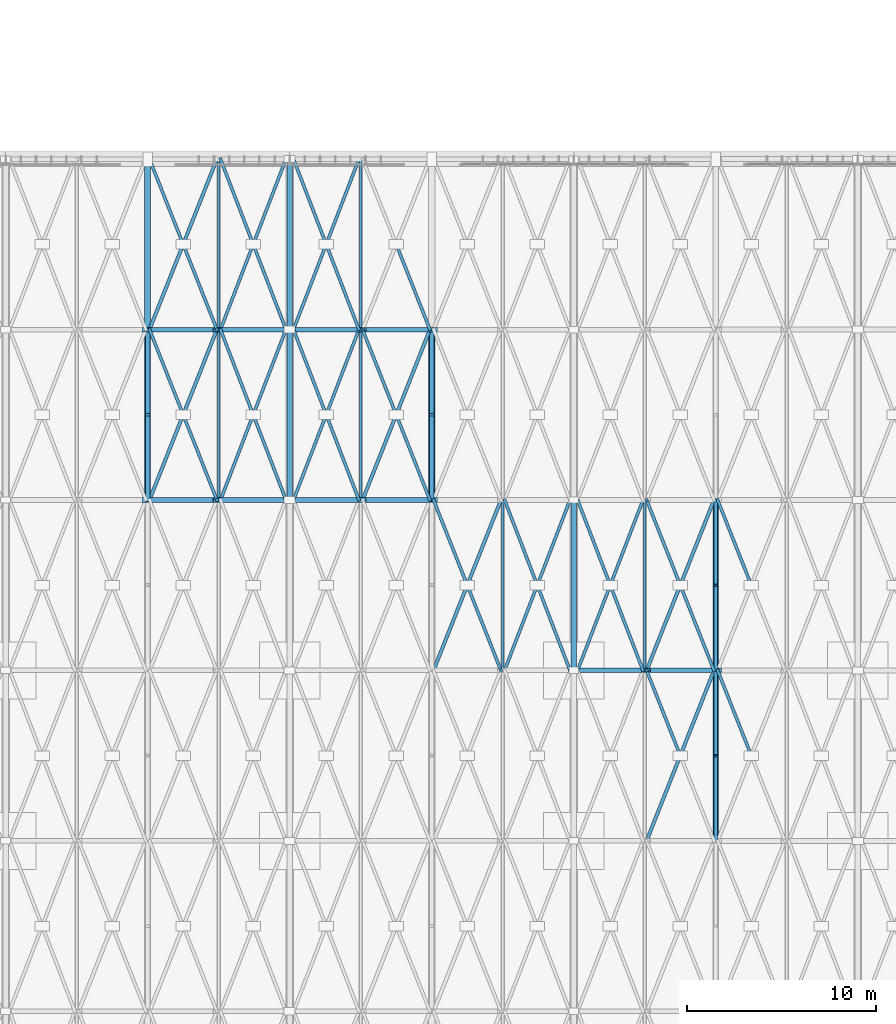
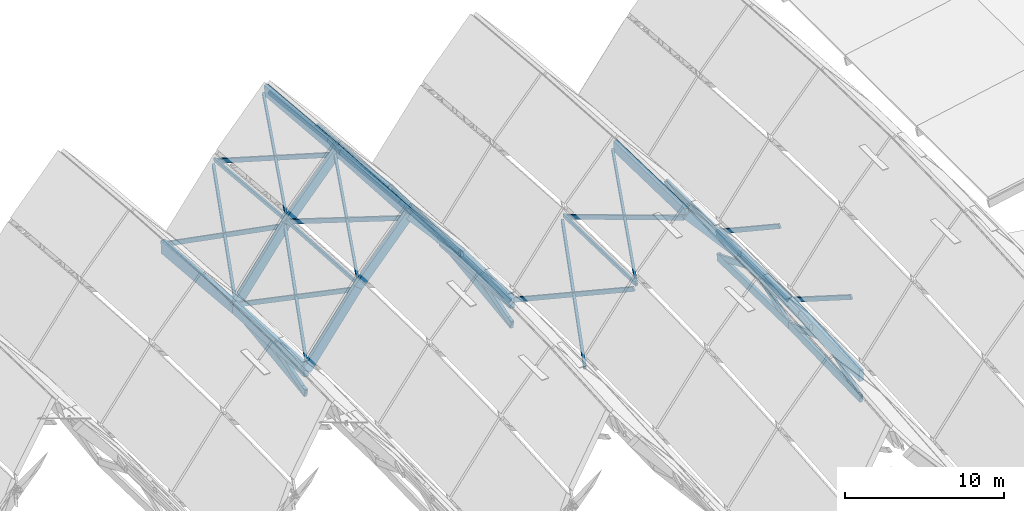
# One storey, part 40 of 93: 54 members, 18 beams.
"""IFC4 building model written with IfcOpenShell, lengths in metres."""

from ifc_helpers import new_model, si_unit, direction, frame, origin, origin_2d, place, context, subcontext, project, spatial, rectangle, extrude, material, material_profile, profile_set, type_object, element, save


model = new_model("IFC4")

# Units and contexts
model_context = context("Model", 3, precision=1e-05, world=origin(), true_north=direction((0.0, 1.0)))
body_context = subcontext(model_context, "Body", "Model", "MODEL_VIEW")
ifc_project = project(units=[si_unit("LENGTHUNIT", "METRE"), si_unit("AREAUNIT", "SQUARE_METRE"), si_unit("VOLUMEUNIT", "CUBIC_METRE"), si_unit("PLANEANGLEUNIT", "RADIAN"), si_unit("MASSUNIT", "GRAM", prefix="KILO")], contexts=[model_context])

# Site, building, storey
site_placement = place(None, origin())
site = spatial("IfcSite", under=ifc_project, at=site_placement, CompositionType="ELEMENT")
building_placement = place(site_placement, origin())
building = spatial("IfcBuilding", under=site, at=building_placement, Name="Vourika Railside Aquatics Centre", CompositionType="ELEMENT")
storey_placement = place(building_placement, frame((0.0, 0.0, 21.89990234375)))
storey = spatial("IfcBuildingStorey", under=building, at=storey_placement, Name="Roof", CompositionType="ELEMENT", Elevation=21.89990234375)

# Beams
ifc_material_1 = material(Name="Glulam GL32h", Category="wood")
ifc_material_profile_1 = material_profile(ifc_material_1, rectangle(XDim=0.239990234375, YDim=0.719970703125, at=origin_2d()), Name="GL32h 240x720")
ifc_profile_set_1 = profile_set([ifc_material_profile_1], Name="Glulam GL32h")
beam_type_1 = type_object("IfcBeamType", Name="BM-GL-ARCH-240x720", PredefinedType="BEAM", material=ifc_profile_set_1)
beam_1_placement = place(storey_placement, frame((96.0, 48.0, -10.314208984375), z_axis=(0.592401494544, 0.0, 0.805642891896), x_axis=(0.0, 1.0, 0.0)))
element("IfcBeam", 1, at=beam_1_placement, inside=storey, type_object=beam_type_1, Name="Pointed Glulam Vault Arch Rib GAR-0153", PredefinedType="BEAM", context=body_context, shape_type="SweptSolid", body=[
    extrude(rectangle(XDim=0.239990234375, YDim=0.719970703125, at=origin_2d()), origin(), (0.0, 0.0, 1.0), 6.330078125),
])
for number, where, z_axis, x_axis, name in (
    (2, (99.75, 48.0, -5.21435546875), (0.657258623263, 0.0, 0.75366511273), (0.0, 1.0, 0.0), "Pointed Glulam Vault Arch Rib GAR-0154"),
    (3, (103.5, 48.0, -0.914306640625), (0.657258623263, 0.0, -0.75366511273), (0.0, 1.0, 0.0), "Pointed Glulam Vault Arch Rib GAR-0155"),
):
    element("IfcBeam", number, at=place(storey_placement, frame(where, z_axis=z_axis, x_axis=x_axis)), inside=storey, type_object=beam_type_1, Name=name, PredefinedType="BEAM", context=body_context, shape_type="SweptSolid", body=[
        extrude(rectangle(XDim=0.239990234375, YDim=0.719970703125, at=origin_2d()), origin(), (0.0, 0.0, 1.0), 5.70556640625),
    ])
beam_2_placement = place(storey_placement, frame((107.25, 48.0, -5.21435546875), z_axis=(0.592401494544, 0.0, -0.805642891896), x_axis=(0.0, 1.0, 0.0)))
element("IfcBeam", 4, at=beam_2_placement, inside=storey, type_object=beam_type_1, Name="Pointed Glulam Vault Arch Rib GAR-0156", PredefinedType="BEAM", context=body_context, shape_type="SweptSolid", body=[
    extrude(rectangle(XDim=0.239990234375, YDim=0.719970703125, at=origin_2d()), origin(), (0.0, 0.0, 1.0), 6.330078125),
])
beam_3_placement = place(storey_placement, frame((96.0, 57.0, -10.89990234375), z_axis=(0.592383087934, 0.0, 0.805656426233), x_axis=(0.0, 1.0, 0.0)))
element("IfcBeam", 5, at=beam_3_placement, inside=storey, type_object=beam_type_1, Name="Pointed Glulam Vault Arch Rib GAR-0157", PredefinedType="BEAM", context=body_context, shape_type="SweptSolid", body=[
    extrude(rectangle(XDim=0.239990234375, YDim=0.719970703125, at=origin_2d()), origin(), (0.0, 0.0, 1.0), 6.330322265625),
])
for number, where, z_axis, x_axis, name in (
    (6, (99.75, 57.0, -5.7998046875), (0.657279819973, 0.0, 0.753646626912), (0.0, 1.0, 0.0), "Pointed Glulam Vault Arch Rib GAR-0158"),
    (7, (103.5, 57.0, -1.5), (0.657279819973, 0.0, -0.753646626912), (0.0, 1.0, 0.0), "Pointed Glulam Vault Arch Rib GAR-0159"),
):
    element("IfcBeam", number, at=place(storey_placement, frame(where, z_axis=z_axis, x_axis=x_axis)), inside=storey, type_object=beam_type_1, Name=name, PredefinedType="BEAM", context=body_context, shape_type="SweptSolid", body=[
        extrude(rectangle(XDim=0.239990234375, YDim=0.719970703125, at=origin_2d()), origin(), (0.0, 0.0, 1.0), 5.705322265625),
    ])
beam_4_placement = place(storey_placement, frame((107.25, 57.0, -5.7998046875), z_axis=(0.592383087934, 0.0, -0.805656426233), x_axis=(0.0, 1.0, 0.0)))
element("IfcBeam", 8, at=beam_4_placement, inside=storey, type_object=beam_type_1, Name="Pointed Glulam Vault Arch Rib GAR-0160", PredefinedType="BEAM", context=body_context, shape_type="SweptSolid", body=[
    extrude(rectangle(XDim=0.239990234375, YDim=0.719970703125, at=origin_2d()), origin(), (0.0, 0.0, 1.0), 6.330322265625),
])
beam_5_placement = place(storey_placement, frame((118.5, 39.0, -0.699951171875), z_axis=(0.657258623263, 0.0, -0.75366511273), x_axis=(0.0, 1.0, 0.0)))
element("IfcBeam", 9, at=beam_5_placement, inside=storey, type_object=beam_type_1, Name="Pointed Glulam Vault Arch Rib GAR-0185", PredefinedType="BEAM", context=body_context, shape_type="SweptSolid", body=[
    extrude(rectangle(XDim=0.239990234375, YDim=0.719970703125, at=origin_2d()), origin(), (0.0, 0.0, 1.0), 5.70556640625),
])
beam_6_placement = place(storey_placement, frame((122.25, 39.0, -5.0), z_axis=(0.592401494544, 0.0, -0.805642891896), x_axis=(0.0, 1.0, 0.0)))
element("IfcBeam", 10, at=beam_6_placement, inside=storey, type_object=beam_type_1, Name="Pointed Glulam Vault Arch Rib GAR-0186", PredefinedType="BEAM", context=body_context, shape_type="SweptSolid", body=[
    extrude(rectangle(XDim=0.239990234375, YDim=0.719970703125, at=origin_2d()), origin(), (0.0, 0.0, 1.0), 6.330078125),
])
ifc_material_profile_2 = material_profile(ifc_material_1, rectangle(XDim=0.280029296875, YDim=0.800048828125, at=origin_2d()), Name="GL32h 280x800")
ifc_profile_set_2 = profile_set([ifc_material_profile_2], Name="Glulam GL32h")
beam_type_2 = type_object("IfcBeamType", Name="BM-GL-RIDGE-280x800", PredefinedType="BEAM", material=ifc_profile_set_2)
beam_7_placement = place(storey_placement, frame((103.5, 48.0, -0.914306640625), z_axis=(0.0, 0.997889191565, -0.064939674766), x_axis=(-1.0, 0.0, 0.0)))
element("IfcBeam", 11, at=beam_7_placement, inside=storey, type_object=beam_type_2, Name="Vault Pointed Ridge Beam GRB-0169", PredefinedType="BEAM", context=body_context, shape_type="SweptSolid", body=[
    extrude(rectangle(XDim=0.280029296875, YDim=0.800048828125, at=origin_2d()), origin(), (0.0, 0.0, 1.0), 9.01904296875),
])
beam_8_placement = place(storey_placement, frame((103.5, 57.0, -1.5), z_axis=(0.0, 0.996074546839, -0.088518343518), x_axis=(-1.0, 0.0, 0.0)))
element("IfcBeam", 12, at=beam_8_placement, inside=storey, type_object=beam_type_2, Name="Vault Pointed Ridge Beam GRB-0170", PredefinedType="BEAM", context=body_context, shape_type="SweptSolid", body=[
    extrude(rectangle(XDim=0.280029296875, YDim=0.800048828125, at=origin_2d()), origin(), (0.0, 0.0, 1.0), 9.035400390625),
])
beam_9_placement = place(storey_placement, frame((118.5, 39.0, -0.699951171875), z_axis=(0.0, 0.999716489335, -0.023810521854), x_axis=(-1.0, 0.0, 0.0)))
element("IfcBeam", 13, at=beam_9_placement, inside=storey, type_object=beam_type_2, Name="Vault Pointed Ridge Beam GRB-0202", PredefinedType="BEAM", context=body_context, shape_type="SweptSolid", body=[
    extrude(rectangle(XDim=0.280029296875, YDim=0.800048828125, at=origin_2d()), origin(), (0.0, 0.0, 1.0), 9.00244140625),
])
ifc_material_profile_3 = material_profile(ifc_material_1, rectangle(XDim=0.300048828125, YDim=0.89990234375, at=origin_2d()), Name="GL32h 300x900")
ifc_profile_set_3 = profile_set([ifc_material_profile_3], Name="Glulam GL32h")
beam_type_3 = type_object("IfcBeamType", Name="BM-GL-VAL-300x900", PredefinedType="BEAM", material=ifc_profile_set_3)
for number, where, z_axis, x_axis, name in (
    (14, (126.0, 30.0, -10.314208984375), (0.0, 0.999716489335, 0.023810521854), (-1.0, 0.0, 0.0), "Vault Valley Arch Rib VTR-039"),
    (15, (126.0, 39.0, -10.099853515625), (0.0, 0.999716489335, -0.023810521854), (-1.0, 0.0, 0.0), "Vault Valley Arch Rib VTR-040"),
):
    element("IfcBeam", number, at=place(storey_placement, frame(where, z_axis=z_axis, x_axis=x_axis)), inside=storey, type_object=beam_type_3, Name=name, PredefinedType="BEAM", context=body_context, shape_type="SweptSolid", body=[
        extrude(rectangle(XDim=0.300048828125, YDim=0.89990234375, at=origin_2d()), origin(), (0.0, 0.0, 1.0), 9.00244140625),
    ])
ifc_material_profile_4 = material_profile(ifc_material_1, rectangle(XDim=0.320068359375, YDim=0.9599609375, at=origin_2d()), Name="GL32h 320x960")
ifc_profile_set_4 = profile_set([ifc_material_profile_4], Name="Glulam GL32h")
beam_type_4 = type_object("IfcBeamType", Name="BM-GL-VAL-320x960", PredefinedType="BEAM", material=ifc_profile_set_4)
beam_10_placement = place(storey_placement, frame((96.0, 48.0, -10.314208984375), z_axis=(0.0, 0.997889191565, -0.064939674766), x_axis=(-1.0, 0.0, 0.0)))
element("IfcBeam", 16, at=beam_10_placement, inside=storey, type_object=beam_type_4, Name="Vault Valley Arch Rib VTR-029", PredefinedType="BEAM", context=body_context, shape_type="SweptSolid", body=[
    extrude(rectangle(XDim=0.320068359375, YDim=0.9599609375, at=origin_2d()), origin(), (0.0, 0.0, 1.0), 9.01904296875),
])
beam_11_placement = place(storey_placement, frame((96.0, 57.0, -10.89990234375), z_axis=(0.0, 0.996072164085, -0.088545151956), x_axis=(-1.0, 0.0, 0.0)))
element("IfcBeam", 17, at=beam_11_placement, inside=storey, type_object=beam_type_4, Name="Vault Valley Arch Rib VTR-030", PredefinedType="BEAM", context=body_context, shape_type="SweptSolid", body=[
    extrude(rectangle(XDim=0.320068359375, YDim=0.9599609375, at=origin_2d()), origin(), (0.0, 0.0, 1.0), 9.035400390625),
])
beam_12_placement = place(storey_placement, frame((111.0, 48.0, -10.314208984375), z_axis=(0.0, 0.997889191565, -0.064939674766), x_axis=(-1.0, 0.0, 0.0)))
element("IfcBeam", 18, at=beam_12_placement, inside=storey, type_object=beam_type_4, Name="Vault Valley Arch Rib VTR-035", PredefinedType="BEAM", context=body_context, shape_type="SweptSolid", body=[
    extrude(rectangle(XDim=0.320068359375, YDim=0.9599609375, at=origin_2d()), origin(), (0.0, 0.0, 1.0), 9.01904296875),
])

# Members
ifc_material_profile_5 = material_profile(ifc_material_1, rectangle(XDim=0.219970703125, YDim=0.60009765625, at=origin_2d()), Name="GL32h 220x600")
ifc_profile_set_5 = profile_set([ifc_material_profile_5], Name="Glulam GL32h")
member_type_1 = type_object("IfcMemberType", Name="MEM-GL-CHORD", PredefinedType="CHORD", material=ifc_profile_set_5)
for number, where, z_axis, x_axis, name in (
    (19, (96.0, 48.0, -12.064208984375), (0.0, 0.991735627786, 0.128298264131), (-1.0, 0.0, 0.0), "Valley Arch Truss Bottom Chord VBC-029"),
    (20, (111.0, 48.0, -12.064208984375), (0.0, 0.991735627786, 0.128298264131), (-1.0, 0.0, 0.0), "Valley Arch Truss Bottom Chord VBC-035"),
):
    element("IfcMember", number, at=place(storey_placement, frame(where, z_axis=z_axis, x_axis=x_axis)), inside=storey, type_object=member_type_1, Name=name, PredefinedType="CHORD", context=body_context, shape_type="SweptSolid", body=[
        extrude(rectangle(XDim=0.219970703125, YDim=0.60009765625, at=origin_2d()), origin(), (0.0, 0.0, 1.0), 9.074951171875),
    ])
for number, where, z_axis, x_axis, name in (
    (21, (126.0, 30.0, -12.064208984375), (0.0, 0.999716489335, 0.023810521854), (-1.0, 0.0, 0.0), "Valley Arch Truss Bottom Chord VBC-039"),
    (22, (126.0, 39.0, -11.849853515625), (0.0, 0.999716489335, -0.023810521854), (-1.0, 0.0, 0.0), "Valley Arch Truss Bottom Chord VBC-040"),
):
    element("IfcMember", number, at=place(storey_placement, frame(where, z_axis=z_axis, x_axis=x_axis)), inside=storey, type_object=member_type_1, Name=name, PredefinedType="CHORD", context=body_context, shape_type="SweptSolid", body=[
        extrude(rectangle(XDim=0.219970703125, YDim=0.60009765625, at=origin_2d()), origin(), (0.0, 0.0, 1.0), 9.00244140625),
    ])
ifc_material_2 = material(Name="Glulam GL28h", Category="wood")
ifc_material_profile_6 = material_profile(ifc_material_2, rectangle(XDim=0.179931640625, YDim=0.360107421875, at=origin_2d()), Name="GL28h 180x360")
ifc_profile_set_6 = profile_set([ifc_material_profile_6], Name="Glulam GL28h")
member_type_2 = type_object("IfcMemberType", Name="MEM-GL-LATH1", PredefinedType="BRACE", material=ifc_profile_set_6)
member_1_placement = place(storey_placement, frame((96.094970703125, 48.0, -10.189453125), z_axis=(0.336558619113, 0.85083643773, 0.403491824121), x_axis=(-0.929892910811, 0.367830360933, 0.0)))
element("IfcMember", 23, at=member_1_placement, inside=storey, type_object=member_type_2, Name="Gridshell Continuous Diagonal Lath GLA-0273", PredefinedType="BRACE", context=body_context, shape_type="SweptSolid", body=[
    extrude(rectangle(XDim=0.179931640625, YDim=0.360107421875, at=origin_2d()), origin(), (0.0, 0.0, 1.0), 10.577880859375),
])
member_2_placement = place(storey_placement, frame((107.344970703125, 48.0, -5.347900390625), z_axis=(0.321000574365, 0.811504949484, -0.488281013577), x_axis=(-0.929892910811, 0.367830360933, 0.0)))
element("IfcMember", 24, at=member_2_placement, inside=storey, type_object=member_type_2, Name="Gridshell Continuous Diagonal Lath GLA-0279", PredefinedType="BRACE", context=body_context, shape_type="SweptSolid", body=[
    extrude(rectangle(XDim=0.179931640625, YDim=0.360107421875, at=origin_2d()), origin(), (0.0, 0.0, 1.0), 11.090576171875),
])
member_3_placement = place(storey_placement, frame((96.094970703125, 57.0, -10.7783203125), z_axis=(0.339219023139, 0.857562067548, 0.386675257346), x_axis=(-0.929892910811, 0.367830360933, 0.0)))
element("IfcMember", 25, at=member_3_placement, inside=storey, type_object=member_type_2, Name="Gridshell Continuous Diagonal Lath GLA-0283", PredefinedType="BRACE", context=body_context, shape_type="SweptSolid", body=[
    extrude(rectangle(XDim=0.179931640625, YDim=0.360107421875, at=origin_2d()), origin(), (0.0, 0.0, 1.0), 10.494873046875),
])
for number, where, z_axis, x_axis, name in (
    (26, (122.344970703125, 30.0, -5.339111328125), (0.331795949467, 0.838796178929, -0.431662389064), (-0.929892910811, 0.367830360933, 0.0), "Gridshell Continuous Diagonal Lath GLA-0319"),
    (27, (111.094970703125, 39.0, -9.970703125), (0.331795949467, 0.838796178929, 0.431662389064), (-0.929892910811, 0.367830360933, 0.0), "Gridshell Continuous Diagonal Lath GLA-0323"),
):
    element("IfcMember", number, at=place(storey_placement, frame(where, z_axis=z_axis, x_axis=x_axis)), inside=storey, type_object=member_type_2, Name=name, PredefinedType="BRACE", context=body_context, shape_type="SweptSolid", body=[
        extrude(rectangle(XDim=0.179931640625, YDim=0.360107421875, at=origin_2d()), origin(), (0.0, 0.0, 1.0), 10.729736328125),
    ])
member_4_placement = place(storey_placement, frame((122.344970703125, 39.0, -5.129150390625), z_axis=(0.326087343629, 0.824364547766, -0.462698753739), x_axis=(-0.929892910811, 0.367830360933, 0.0)))
element("IfcMember", 28, at=member_4_placement, inside=storey, type_object=member_type_2, Name="Gridshell Continuous Diagonal Lath GLA-0329", PredefinedType="BRACE", context=body_context, shape_type="SweptSolid", body=[
    extrude(rectangle(XDim=0.179931640625, YDim=0.360107421875, at=origin_2d()), origin(), (0.0, 0.0, 1.0), 10.91748046875),
])
ifc_material_profile_7 = material_profile(ifc_material_2, rectangle(XDim=0.159912109375, YDim=0.320068359375, at=origin_2d()), Name="GL28h 160x320")
ifc_profile_set_7 = profile_set([ifc_material_profile_7], Name="Glulam GL28h")
member_type_3 = type_object("IfcMemberType", Name="MEM-GL-LATH2", PredefinedType="BRACE", material=ifc_profile_set_7)
member_5_placement = place(storey_placement, frame((99.655029296875, 48.0, -5.347900390625), z_axis=(-0.321004024702, 0.811513672104, -0.488264248244), x_axis=(-0.929892910811, -0.367830360933, 0.0)))
element("IfcMember", 29, at=member_5_placement, inside=storey, type_object=member_type_3, Name="Gridshell Split Counter Lath GLB1-0274", PredefinedType="BRACE", context=body_context, shape_type="SweptSolid", body=[
    extrude(rectangle(XDim=0.159912109375, YDim=0.320068359375, at=origin_2d()), origin(), (0.0, 0.0, 1.0), 5.545166015625),
])
member_6_placement = place(storey_placement, frame((97.875, 52.5, -8.055419921875), z_axis=(-0.320997123983, 0.811496226753, -0.48829777837), x_axis=(-0.929892910811, -0.367830360933, 0.0)))
element("IfcMember", 30, at=member_6_placement, inside=storey, type_object=member_type_3, Name="Gridshell Split Counter Lath GLB2-0274", PredefinedType="BRACE", context=body_context, shape_type="SweptSolid", body=[
    extrude(rectangle(XDim=0.159912109375, YDim=0.320068359375, at=origin_2d()), origin(), (0.0, 0.0, 1.0), 5.54541015625),
])
member_7_placement = place(storey_placement, frame((99.844970703125, 48.0, -5.10986328125), z_axis=(0.338120523205, 0.8807571345, 0.331574097021), x_axis=(-0.933569951957, 0.358395235463, 0.0)))
element("IfcMember", 31, at=member_7_placement, inside=storey, type_object=member_type_3, Name="Gridshell Continuous Diagonal Lath GLA-0275", PredefinedType="BRACE", context=body_context, shape_type="SweptSolid", body=[
    extrude(rectangle(XDim=0.159912109375, YDim=0.320068359375, at=origin_2d()), origin(), (0.0, 0.0, 1.0), 10.218505859375),
])
member_8_placement = place(storey_placement, frame((103.300048828125, 48.0, -1.14794921875), z_axis=(-0.324295935921, 0.844745999277, -0.425718619102), x_axis=(-0.933569951957, -0.358395235463, 0.0)))
element("IfcMember", 32, at=member_8_placement, inside=storey, type_object=member_type_3, Name="Gridshell Split Counter Lath GLB1-0276", PredefinedType="BRACE", context=body_context, shape_type="SweptSolid", body=[
    extrude(rectangle(XDim=0.159912109375, YDim=0.320068359375, at=origin_2d()), origin(), (0.0, 0.0, 1.0), 5.3271484375),
])
member_9_placement = place(storey_placement, frame((101.572509765625, 52.5, -3.415771484375), z_axis=(-0.324302263056, 0.84476248059, -0.425681093735), x_axis=(-0.933569951957, -0.358395235463, 0.0)))
element("IfcMember", 33, at=member_9_placement, inside=storey, type_object=member_type_3, Name="Gridshell Split Counter Lath GLB2-0276", PredefinedType="BRACE", context=body_context, shape_type="SweptSolid", body=[
    extrude(rectangle(XDim=0.159912109375, YDim=0.320068359375, at=origin_2d()), origin(), (0.0, 0.0, 1.0), 5.326904296875),
])
member_10_placement = place(storey_placement, frame((103.699951171875, 48.0, -1.14794921875), z_axis=(0.324299099527, 0.844754240035, -0.425699856693), x_axis=(-0.933569951957, 0.358395235463, 0.0)))
element("IfcMember", 34, at=member_10_placement, inside=storey, type_object=member_type_3, Name="Gridshell Continuous Diagonal Lath GLA-0277", PredefinedType="BRACE", context=body_context, shape_type="SweptSolid", body=[
    extrude(rectangle(XDim=0.159912109375, YDim=0.320068359375, at=origin_2d()), origin(), (0.0, 0.0, 1.0), 10.654052734375),
])
for number, where, z_axis, x_axis, name in (
    (35, (107.155029296875, 48.0, -5.10986328125), (-0.338120523205, 0.8807571345, 0.331574097021), (-0.933569951957, -0.358395235463, 0.0), "Gridshell Split Counter Lath GLB1-0278"),
    (36, (105.427490234375, 52.5, -3.415771484375), (-0.338120523205, 0.8807571345, 0.331574097021), (-0.933569951957, -0.358395235463, 0.0), "Gridshell Split Counter Lath GLB2-0278"),
):
    element("IfcMember", number, at=place(storey_placement, frame(where, z_axis=z_axis, x_axis=x_axis)), inside=storey, type_object=member_type_3, Name=name, PredefinedType="BRACE", context=body_context, shape_type="SweptSolid", body=[
        extrude(rectangle(XDim=0.159912109375, YDim=0.320068359375, at=origin_2d()), origin(), (0.0, 0.0, 1.0), 5.109130859375),
    ])
for number, where, z_axis, x_axis, name in (
    (37, (110.905029296875, 48.0, -10.189453125), (-0.336558619113, 0.85083643773, 0.403491824121), (-0.929892910811, -0.367830360933, 0.0), "Gridshell Split Counter Lath GLB1-0280"),
    (38, (109.125, 52.5, -8.055419921875), (-0.336558619113, 0.85083643773, 0.403491824121), (-0.929892910811, -0.367830360933, 0.0), "Gridshell Split Counter Lath GLB2-0280"),
):
    element("IfcMember", number, at=place(storey_placement, frame(where, z_axis=z_axis, x_axis=x_axis)), inside=storey, type_object=member_type_3, Name=name, PredefinedType="BRACE", context=body_context, shape_type="SweptSolid", body=[
        extrude(rectangle(XDim=0.159912109375, YDim=0.320068359375, at=origin_2d()), origin(), (0.0, 0.0, 1.0), 5.288818359375),
    ])
member_11_placement = place(storey_placement, frame((99.655029296875, 57.0, -5.936767578125), z_axis=(-0.318014350334, 0.803955630964, -0.502515886737), x_axis=(-0.929892910811, -0.367830360933, 0.0)))
element("IfcMember", 39, at=member_11_placement, inside=storey, type_object=member_type_3, Name="Gridshell Split Counter Lath GLB1-0284", PredefinedType="BRACE", context=body_context, shape_type="SweptSolid", body=[
    extrude(rectangle(XDim=0.159912109375, YDim=0.320068359375, at=origin_2d()), origin(), (0.0, 0.0, 1.0), 5.597412109375),
])
member_12_placement = place(storey_placement, frame((97.875, 61.5, -8.74951171875), z_axis=(-0.318021320636, 0.803973252223, -0.502483282639), x_axis=(-0.929892910811, -0.367830360933, 0.0)))
element("IfcMember", 40, at=member_12_placement, inside=storey, type_object=member_type_3, Name="Gridshell Split Counter Lath GLB2-0284", PredefinedType="BRACE", context=body_context, shape_type="SweptSolid", body=[
    extrude(rectangle(XDim=0.159912109375, YDim=0.320068359375, at=origin_2d()), origin(), (0.0, 0.0, 1.0), 5.59716796875),
])
member_13_placement = place(storey_placement, frame((99.844970703125, 57.0, -5.698486328125), z_axis=(0.340377647674, 0.886636631138, 0.313079129436), x_axis=(-0.933569951957, 0.358395235463, 0.0)))
element("IfcMember", 41, at=member_13_placement, inside=storey, type_object=member_type_3, Name="Gridshell Continuous Diagonal Lath GLA-0285", PredefinedType="BRACE", context=body_context, shape_type="SweptSolid", body=[
    extrude(rectangle(XDim=0.159912109375, YDim=0.320068359375, at=origin_2d()), origin(), (0.0, 0.0, 1.0), 10.150634765625),
])
for number, where, z_axis, x_axis, name in (
    (42, (103.300048828125, 57.0, -1.73681640625), (-0.32154756466, 0.837586872782, -0.441650760448), (-0.933569951957, -0.358395235463, 0.0), "Gridshell Split Counter Lath GLB1-0286"),
    (43, (101.572509765625, 61.5, -4.109619140625), (-0.321554017818, 0.837603682367, -0.441614181057), (-0.933569951957, -0.358395235463, 0.0), "Gridshell Split Counter Lath GLB2-0286"),
):
    element("IfcMember", number, at=place(storey_placement, frame(where, z_axis=z_axis, x_axis=x_axis)), inside=storey, type_object=member_type_3, Name=name, PredefinedType="BRACE", context=body_context, shape_type="SweptSolid", body=[
        extrude(rectangle(XDim=0.159912109375, YDim=0.320068359375, at=origin_2d()), origin(), (0.0, 0.0, 1.0), 5.37255859375),
    ])
member_14_placement = place(storey_placement, frame((103.699951171875, 57.0, -1.73681640625), z_axis=(0.321550791273, 0.837595277664, -0.441632471028), x_axis=(-0.933569951957, 0.358395235463, 0.0)))
element("IfcMember", 44, at=member_14_placement, inside=storey, type_object=member_type_3, Name="Gridshell Continuous Diagonal Lath GLA-0287", PredefinedType="BRACE", context=body_context, shape_type="SweptSolid", body=[
    extrude(rectangle(XDim=0.159912109375, YDim=0.320068359375, at=origin_2d()), origin(), (0.0, 0.0, 1.0), 10.7451171875),
])
for number, where, z_axis, x_axis, name in (
    (45, (107.155029296875, 57.0, -5.698486328125), (-0.340380210662, 0.886643307367, 0.313057435131), (-0.933569951957, -0.358395235463, 0.0), "Gridshell Split Counter Lath GLB1-0288"),
    (46, (105.427490234375, 61.5, -4.109619140625), (-0.340375084547, 0.886629954547, 0.31310082325), (-0.933569951957, -0.358395235463, 0.0), "Gridshell Split Counter Lath GLB2-0288"),
):
    element("IfcMember", number, at=place(storey_placement, frame(where, z_axis=z_axis, x_axis=x_axis)), inside=storey, type_object=member_type_3, Name=name, PredefinedType="BRACE", context=body_context, shape_type="SweptSolid", body=[
        extrude(rectangle(XDim=0.159912109375, YDim=0.320068359375, at=origin_2d()), origin(), (0.0, 0.0, 1.0), 5.075439453125),
    ])
member_15_placement = place(storey_placement, frame((110.905029296875, 57.0, -10.7783203125), z_axis=(-0.339225125603, 0.857577494874, 0.386635686979), x_axis=(-0.929892910811, -0.367830360933, 0.0)))
element("IfcMember", 47, at=member_15_placement, inside=storey, type_object=member_type_3, Name="Gridshell Split Counter Lath GLB1-0290", PredefinedType="BRACE", context=body_context, shape_type="SweptSolid", body=[
    extrude(rectangle(XDim=0.159912109375, YDim=0.320068359375, at=origin_2d()), origin(), (0.0, 0.0, 1.0), 5.247314453125),
])
for number, where, z_axis, x_axis, name in (
    (48, (124.125, 34.5, -7.65478515625), (-0.326090717631, 0.824373077407, 0.462681178699), (-0.929892910811, -0.367830360933, 0.0), "Gridshell Split Counter Lath GLB2-0320"),
    (49, (114.655029296875, 39.0, -5.129150390625), (-0.326090717631, 0.824373077407, -0.462681178699), (-0.929892910811, -0.367830360933, 0.0), "Gridshell Split Counter Lath GLB1-0324"),
    (50, (112.875, 43.5, -7.65478515625), (-0.326083969568, 0.824356017978, -0.462716328234), (-0.929892910811, -0.367830360933, 0.0), "Gridshell Split Counter Lath GLB2-0324"),
):
    element("IfcMember", number, at=place(storey_placement, frame(where, z_axis=z_axis, x_axis=x_axis)), inside=storey, type_object=member_type_3, Name=name, PredefinedType="BRACE", context=body_context, shape_type="SweptSolid", body=[
        extrude(rectangle(XDim=0.159912109375, YDim=0.320068359375, at=origin_2d()), origin(), (0.0, 0.0, 1.0), 5.458740234375),
    ])
member_16_placement = place(storey_placement, frame((114.844970703125, 39.0, -4.89111328125), z_axis=(0.333992041249, 0.870003010782, 0.362690057229), x_axis=(-0.933569951957, 0.358395235463, 0.0)))
element("IfcMember", 51, at=member_16_placement, inside=storey, type_object=member_type_3, Name="Gridshell Continuous Diagonal Lath GLA-0325", PredefinedType="BRACE", context=body_context, shape_type="SweptSolid", body=[
    extrude(rectangle(XDim=0.159912109375, YDim=0.320068359375, at=origin_2d()), origin(), (0.0, 0.0, 1.0), 10.3447265625),
])
for number, where, z_axis, x_axis, name in (
    (52, (118.300048828125, 39.0, -0.92919921875), (-0.328917694788, 0.856785041031, -0.397155565895), (-0.933569951957, -0.358395235463, 0.0), "Gridshell Split Counter Lath GLB1-0326"),
    (53, (116.572509765625, 43.5, -3.01513671875), (-0.328923766818, 0.856800857828, -0.397116413218), (-0.933569951957, -0.358395235463, 0.0), "Gridshell Split Counter Lath GLB2-0326"),
):
    element("IfcMember", number, at=place(storey_placement, frame(where, z_axis=z_axis, x_axis=x_axis)), inside=storey, type_object=member_type_3, Name=name, PredefinedType="BRACE", context=body_context, shape_type="SweptSolid", body=[
        extrude(rectangle(XDim=0.159912109375, YDim=0.320068359375, at=origin_2d()), origin(), (0.0, 0.0, 1.0), 5.252197265625),
    ])
member_17_placement = place(storey_placement, frame((118.699951171875, 39.0, -0.92919921875), z_axis=(0.32892073085, 0.856792949552, -0.397135989827), x_axis=(-0.933569951957, 0.358395235463, 0.0)))
element("IfcMember", 54, at=member_17_placement, inside=storey, type_object=member_type_3, Name="Gridshell Continuous Diagonal Lath GLA-0327", PredefinedType="BRACE", context=body_context, shape_type="SweptSolid", body=[
    extrude(rectangle(XDim=0.159912109375, YDim=0.320068359375, at=origin_2d()), origin(), (0.0, 0.0, 1.0), 10.50439453125),
])
for number, where, z_axis, x_axis, name in (
    (55, (122.155029296875, 39.0, -4.89111328125), (-0.333992041249, 0.870003010782, 0.362690057229), (-0.933569951957, -0.358395235463, 0.0), "Gridshell Split Counter Lath GLB1-0328"),
    (56, (120.427490234375, 43.5, -3.01513671875), (-0.333992041249, 0.870003010782, 0.362690057229), (-0.933569951957, -0.358395235463, 0.0), "Gridshell Split Counter Lath GLB2-0328"),
):
    element("IfcMember", number, at=place(storey_placement, frame(where, z_axis=z_axis, x_axis=x_axis)), inside=storey, type_object=member_type_3, Name=name, PredefinedType="BRACE", context=body_context, shape_type="SweptSolid", body=[
        extrude(rectangle(XDim=0.159912109375, YDim=0.320068359375, at=origin_2d()), origin(), (0.0, 0.0, 1.0), 5.17236328125),
    ])
member_18_placement = place(storey_placement, frame((125.905029296875, 39.0, -9.970703125), z_axis=(-0.331792690542, 0.83878794021, 0.431680902823), x_axis=(-0.929892910811, -0.367830360933, 0.0)))
element("IfcMember", 57, at=member_18_placement, inside=storey, type_object=member_type_3, Name="Gridshell Split Counter Lath GLB1-0330", PredefinedType="BRACE", context=body_context, shape_type="SweptSolid", body=[
    extrude(rectangle(XDim=0.159912109375, YDim=0.320068359375, at=origin_2d()), origin(), (0.0, 0.0, 1.0), 5.364990234375),
])
member_19_placement = place(storey_placement, frame((124.125, 43.5, -7.65478515625), z_axis=(-0.331799208316, 0.838804417456, 0.43164387476), x_axis=(-0.929892910811, -0.367830360933, 0.0)))
element("IfcMember", 58, at=member_19_placement, inside=storey, type_object=member_type_3, Name="Gridshell Split Counter Lath GLB2-0330", PredefinedType="BRACE", context=body_context, shape_type="SweptSolid", body=[
    extrude(rectangle(XDim=0.159912109375, YDim=0.320068359375, at=origin_2d()), origin(), (0.0, 0.0, 1.0), 5.36474609375),
])
member_20_placement = place(storey_placement, frame((127.875, 34.5, -7.65478515625), z_axis=(-0.331792690542, 0.83878794021, -0.431680902823), x_axis=(-0.929892910811, -0.367830360933, 0.0)))
element("IfcMember", 59, at=member_20_placement, inside=storey, type_object=member_type_3, Name="Gridshell Split Counter Lath GLB2-0377", PredefinedType="BRACE", context=body_context, shape_type="SweptSolid", body=[
    extrude(rectangle(XDim=0.159912109375, YDim=0.320068359375, at=origin_2d()), origin(), (0.0, 0.0, 1.0), 5.364990234375),
])
member_21_placement = place(storey_placement, frame((127.875, 43.5, -7.65478515625), z_axis=(-0.326083969568, 0.824356017978, -0.462716328234), x_axis=(-0.929892910811, -0.367830360933, 0.0)))
element("IfcMember", 60, at=member_21_placement, inside=storey, type_object=member_type_3, Name="Gridshell Split Counter Lath GLB2-0388", PredefinedType="BRACE", context=body_context, shape_type="SweptSolid", body=[
    extrude(rectangle(XDim=0.159912109375, YDim=0.320068359375, at=origin_2d()), origin(), (0.0, 0.0, 1.0), 5.458740234375),
])
ifc_material_profile_8 = material_profile(ifc_material_2, rectangle(XDim=0.139892578125, YDim=0.280029296875, at=origin_2d()), Name="GL28h 140x280")
ifc_profile_set_8 = profile_set([ifc_material_profile_8], Name="Glulam GL28h")
member_type_4 = type_object("IfcMemberType", Name="MEM-GL-PURLIN", PredefinedType="PURLIN", material=ifc_profile_set_8)
for number, where, z_axis, x_axis, name in (
    (61, (99.75, 48.0, -4.9443359375), (0.0, 0.997890945376, -0.064912719374), (-1.0, 0.0, 0.0), "Vault Timber Purlin GTP-0271"),
    (62, (107.25, 48.0, -4.9443359375), (0.0, 0.997890945376, -0.064912719374), (-1.0, 0.0, 0.0), "Vault Timber Purlin GTP-0272"),
):
    element("IfcMember", number, at=place(storey_placement, frame(where, z_axis=z_axis, x_axis=x_axis)), inside=storey, type_object=member_type_4, Name=name, PredefinedType="PURLIN", context=body_context, shape_type="SweptSolid", body=[
        extrude(rectangle(XDim=0.139892578125, YDim=0.280029296875, at=origin_2d()), origin(), (0.0, 0.0, 1.0), 9.01904296875),
    ])
for number, where, z_axis, x_axis, name in (
    (63, (99.75, 57.0, -5.52978515625), (0.0, 0.996072164085, -0.088545151956), (-1.0, 0.0, 0.0), "Vault Timber Purlin GTP-0281"),
    (64, (107.25, 57.0, -5.52978515625), (0.0, 0.996072164085, -0.088545151956), (-1.0, 0.0, 0.0), "Vault Timber Purlin GTP-0282"),
):
    element("IfcMember", number, at=place(storey_placement, frame(where, z_axis=z_axis, x_axis=x_axis)), inside=storey, type_object=member_type_4, Name=name, PredefinedType="PURLIN", context=body_context, shape_type="SweptSolid", body=[
        extrude(rectangle(XDim=0.139892578125, YDim=0.280029296875, at=origin_2d()), origin(), (0.0, 0.0, 1.0), 9.035400390625),
    ])
for number, where, z_axis, x_axis, name in (
    (65, (114.75, 39.0, -4.72998046875), (0.0, 0.999716489335, -0.023810521854), (-1.0, 0.0, 0.0), "Vault Timber Purlin GTP-0321"),
    (66, (122.25, 39.0, -4.72998046875), (0.0, 0.999716489335, -0.023810521854), (-1.0, 0.0, 0.0), "Vault Timber Purlin GTP-0322"),
):
    element("IfcMember", number, at=place(storey_placement, frame(where, z_axis=z_axis, x_axis=x_axis)), inside=storey, type_object=member_type_4, Name=name, PredefinedType="PURLIN", context=body_context, shape_type="SweptSolid", body=[
        extrude(rectangle(XDim=0.139892578125, YDim=0.280029296875, at=origin_2d()), origin(), (0.0, 0.0, 1.0), 9.00244140625),
    ])
ifc_material_profile_9 = material_profile(ifc_material_2, rectangle(XDim=0.199951171875, YDim=0.39990234375, at=origin_2d()), Name="GL28h 200x400")
ifc_profile_set_9 = profile_set([ifc_material_profile_9], Name="Glulam GL28h")
member_type_5 = type_object("IfcMemberType", Name="MEM-GL-STRUT1", PredefinedType="STRUT", material=ifc_profile_set_9)
member_22_placement = place(storey_placement, frame((126.0, 30.0, -12.064208984375), z_axis=(0.0, 0.924371407103, 0.381493776792), x_axis=(-1.0, 0.0, 0.0)))
element("IfcMember", 67, at=member_22_placement, inside=storey, type_object=member_type_5, Name="Valley Truss Web Strut VWA-039", PredefinedType="STRUT", context=body_context, shape_type="SweptSolid", body=[
    extrude(rectangle(XDim=0.199951171875, YDim=0.39990234375, at=origin_2d()), origin(), (0.0, 0.0, 1.0), 4.8681640625),
])
for number, where, z_axis, x_axis, name in (
    (68, (126.0, 34.5, -10.20703125), (0.0, 0.939359665163, -0.342933549635), (-1.0, 0.0, 0.0), "Valley Truss Web Strut VWB-039"),
    (69, (126.0, 39.0, -11.849853515625), (0.0, 0.939359665163, 0.342933549635), (-1.0, 0.0, 0.0), "Valley Truss Web Strut VWA-040"),
):
    element("IfcMember", number, at=place(storey_placement, frame(where, z_axis=z_axis, x_axis=x_axis)), inside=storey, type_object=member_type_5, Name=name, PredefinedType="STRUT", context=body_context, shape_type="SweptSolid", body=[
        extrude(rectangle(XDim=0.199951171875, YDim=0.39990234375, at=origin_2d()), origin(), (0.0, 0.0, 1.0), 4.79052734375),
    ])
member_23_placement = place(storey_placement, frame((126.0, 43.5, -10.20703125), z_axis=(0.0, 0.924371407103, -0.381493776792), x_axis=(-1.0, 0.0, 0.0)))
element("IfcMember", 70, at=member_23_placement, inside=storey, type_object=member_type_5, Name="Valley Truss Web Strut VWB-040", PredefinedType="STRUT", context=body_context, shape_type="SweptSolid", body=[
    extrude(rectangle(XDim=0.199951171875, YDim=0.39990234375, at=origin_2d()), origin(), (0.0, 0.0, 1.0), 4.8681640625),
])
ifc_material_profile_10 = material_profile(ifc_material_2, rectangle(XDim=0.219970703125, YDim=0.43994140625, at=origin_2d()), Name="GL28h 220x440")
ifc_profile_set_10 = profile_set([ifc_material_profile_10], Name="Glulam GL28h")
member_type_6 = type_object("IfcMemberType", Name="MEM-GL-STRUT2", PredefinedType="STRUT", material=ifc_profile_set_10)
for number, where, z_axis, x_axis, name in (
    (71, (96.0, 48.0, -12.064208984375), (0.0, 0.95137335537, 0.308040157598), (-1.0, 0.0, 0.0), "Valley Truss Web Strut VWA-029"),
    (72, (111.0, 48.0, -12.064208984375), (0.0, 0.95137335537, 0.308040157598), (-1.0, 0.0, 0.0), "Valley Truss Web Strut VWA-035"),
):
    element("IfcMember", number, at=place(storey_placement, frame(where, z_axis=z_axis, x_axis=x_axis)), inside=storey, type_object=member_type_6, Name=name, PredefinedType="STRUT", context=body_context, shape_type="SweptSolid", body=[
        extrude(rectangle(XDim=0.219970703125, YDim=0.43994140625, at=origin_2d()), origin(), (0.0, 0.0, 1.0), 4.72998046875),
    ])

save(model, "model.ifc")
